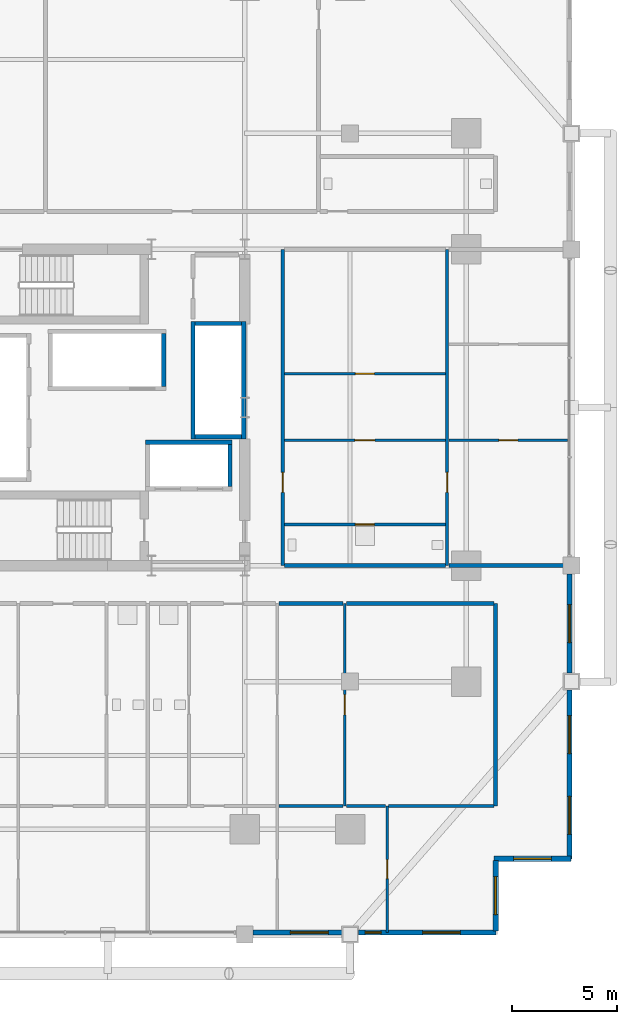
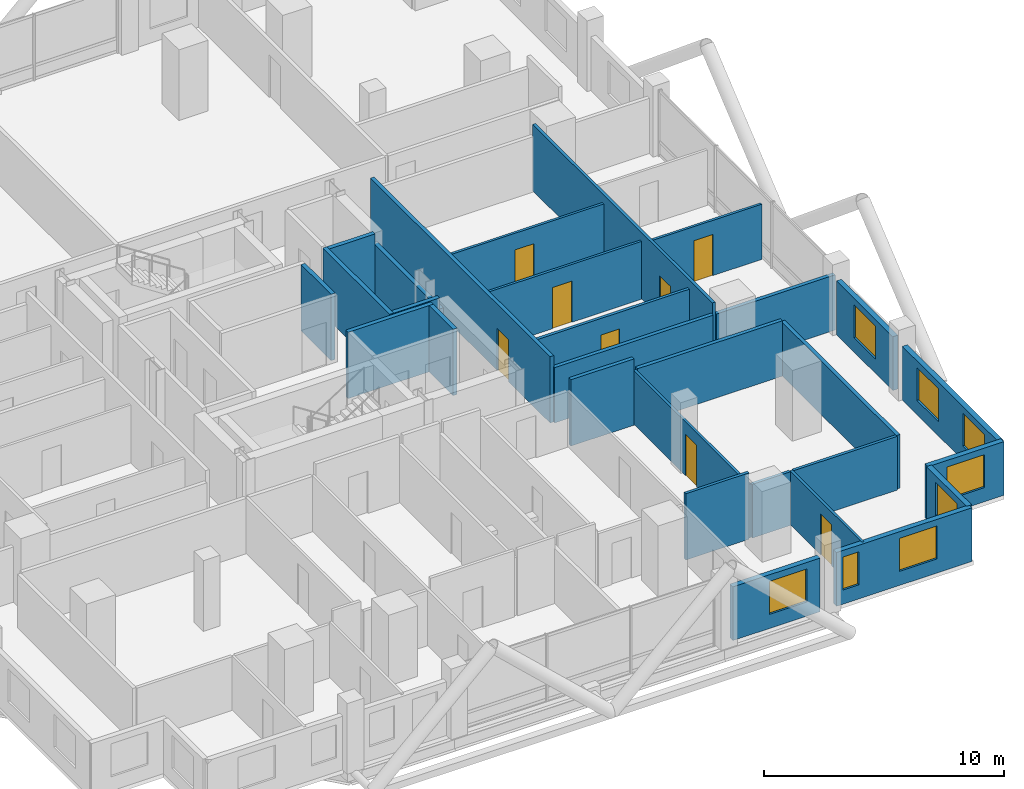
# One storey, part 23 of 27: 29 walls, 8 doors, 8 windows, 16 openings.
"""IFC4 building model written with IfcOpenShell, lengths in metres."""

import ifcopenshell
import ifcopenshell.guid

model = None  # the IFC model being written
_history = None  # IfcOwnerHistory: only IFC2X3 demands one
_inside = {}  # id of a spatial element -> (the spatial element, [elements in it])
_under = {}  # id of a project, library or spatial element -> (it, [spatial elements below it])
_declared = {}  # id of a project -> (the project, [libraries it declares])
_typed = {}  # id of a type object -> (the type object, [elements of that type])
_made_of = {}  # id of a material, layer set ... -> (it, [elements and type objects made of it])


def new_model(schema):
    """Start an empty IFC model of exactly this schema.

    Asked for "IFC4X3", IfcOpenShell would pick the latest addendum, in which some entities
    have other attributes; the version numbers below select the first issue.
    IFC2X3 requires an IfcOwnerHistory on every rooted entity: one is made here for all.
    """
    global model, _history
    if schema == "IFC4X3":
        model = ifcopenshell.file(schema_version=(4, 3, 0, 0))
    else:
        model = ifcopenshell.file(schema=schema)
    _inside.clear()
    _under.clear()
    _declared.clear()
    _typed.clear()
    _made_of.clear()
    _history = None
    if model.schema == "IFC2X3":
        org = make("IfcOrganization", Name="unknown")
        user = make(
            "IfcPersonAndOrganization",
            ThePerson=make("IfcPerson", FamilyName="unknown"),
            TheOrganization=org,
        )
        app = make(
            "IfcApplication",
            ApplicationDeveloper=org,
            Version="unknown",
            ApplicationFullName="unknown",
            ApplicationIdentifier="unknown",
        )
        _history = make(
            "IfcOwnerHistory",
            OwningUser=user,
            OwningApplication=app,
            ChangeAction="ADDED",
            CreationDate=0,
        )
    return model


def make(cls, **values):
    """One entity of the class cls with the attributes given. An attribute that is None is left unset."""
    return model.create_entity(
        cls, **{name: value for name, value in values.items() if value is not None}
    )


def rooted(cls, **values):
    """An entity with a GlobalId (a new one), such as an element, a storey or a relation."""
    return make(cls, GlobalId=ifcopenshell.guid.new(), OwnerHistory=_history, **values)


def si_unit(unit_type, name, prefix=None):
    """IfcSIUnit, for example si_unit("LENGTHUNIT", "METRE", prefix="MILLI")."""
    return make("IfcSIUnit", UnitType=unit_type, Prefix=prefix, Name=name)


def assignment(units):
    """IfcUnitAssignment: the units of a project."""
    return None if units is None else make("IfcUnitAssignment", Units=units)


def point(xyz):
    """IfcCartesianPoint."""
    return None if xyz is None else make("IfcCartesianPoint", Coordinates=xyz)


def direction(xyz):
    """IfcDirection."""
    return None if xyz is None else make("IfcDirection", DirectionRatios=xyz)


def frame(location, z_axis=None, x_axis=None):
    """IfcAxis2Placement3D, a coordinate frame: its origin and axes. An axis left out is left unset."""
    return make(
        "IfcAxis2Placement3D",
        Location=point(location),
        Axis=direction(z_axis),
        RefDirection=direction(x_axis),
    )


def frame_2d(location, x_axis=None):
    """IfcAxis2Placement2D, a coordinate frame in the plane: its origin and x axis."""
    return make(
        "IfcAxis2Placement2D", Location=point(location), RefDirection=direction(x_axis)
    )


def origin():
    """The frame at (0, 0, 0) with its axes left unset."""
    return frame((0.0, 0.0, 0.0))


def place(relative_to, where):
    """IfcLocalPlacement: puts the frame where relative to a parent placement (None: the world)."""
    return make(
        "IfcLocalPlacement", PlacementRelTo=relative_to, RelativePlacement=where
    )


def context(
    kind, dimensions, precision=None, world=None, true_north=None, identifier=None
):
    """IfcGeometricRepresentationContext, for example the 3D "Model" context."""
    return make(
        "IfcGeometricRepresentationContext",
        ContextIdentifier=identifier,
        ContextType=kind,
        CoordinateSpaceDimension=dimensions,
        Precision=precision,
        WorldCoordinateSystem=world,
        TrueNorth=true_north,
    )


def subcontext(parent, identifier, kind, view, scale=None):
    """IfcGeometricRepresentationSubContext, for example "Body" below "Model"."""
    return make(
        "IfcGeometricRepresentationSubContext",
        ContextIdentifier=identifier,
        ContextType=kind,
        ParentContext=parent,
        TargetScale=scale,
        TargetView=view,
    )


def project(units=None, contexts=None):
    """IfcProject with its units and contexts."""
    return rooted(
        "IfcProject",
        Name="project",
        RepresentationContexts=contexts,
        UnitsInContext=assignment(units),
    )


def spatial(cls, under=None, at=None, **own):
    """A site, building, storey or space (cls), placed at a placement, below another one or the project."""
    s = rooted(cls, ObjectPlacement=at, **own)
    if under is not None:
        _under.setdefault(under.id(), (under, []))[1].append(s)
    return s


def profile(cls, at=None, kind="AREA", **sizes):
    """A parametric profile (cls). Its sizes go by their IFC names, for example OverallWidth=200.0."""
    return make(cls, ProfileType=kind, Position=at, **sizes)


def rectangle(**sizes):
    """IfcRectangleProfileDef."""
    return profile("IfcRectangleProfileDef", **sizes)


def extrude(swept, where, along, depth):
    """IfcExtrudedAreaSolid: the profile swept, set in the frame where, extruded along a direction by depth."""
    return make(
        "IfcExtrudedAreaSolid",
        SweptArea=swept,
        Position=where,
        ExtrudedDirection=direction(along),
        Depth=depth,
    )


def shape(context_of_items, identifier, shape_type, items):
    """IfcShapeRepresentation: the items that make up one representation, for example the "Body"."""
    return make(
        "IfcShapeRepresentation",
        ContextOfItems=context_of_items,
        RepresentationIdentifier=identifier,
        RepresentationType=shape_type,
        Items=items,
    )


def material(Name=None, Category=None):
    """IfcMaterial."""
    return make("IfcMaterial", Name=Name, Category=Category)


def layer(
    of_material, thickness, ventilated=None, Name=None, Category=None, Priority=None
):
    """IfcMaterialLayer: one layer of a wall or slab, of a material (None: an air gap)."""
    return make(
        "IfcMaterialLayer",
        Material=of_material,
        LayerThickness=thickness,
        IsVentilated=ventilated,
        Name=Name,
        Category=Category,
        Priority=Priority,
    )


def layer_set(layers, Name=None):
    """IfcMaterialLayerSet."""
    return make("IfcMaterialLayerSet", MaterialLayers=layers, LayerSetName=Name)


def made_of(thing, what):
    """Note that an element or type object is made of a material, layer set ...; save() writes the relation."""
    if what is not None:
        _made_of.setdefault(what.id(), (what, []))[1].append(thing)
    return thing


def type_object(cls, material=None, **own):
    """A type object (cls), such as IfcWallType, which elements share."""
    return made_of(rooted(cls, **own), material)


def element(
    cls,
    number,
    at=None,
    inside=None,
    cuts=None,
    type_object=None,
    material=None,
    context=None,
    identifier="Body",
    shape_type=None,
    held_by="IfcProductDefinitionShape",
    body=None,
    shapes=None,
    **own,
):
    """One element of the class cls, such as IfcWall. Its Tag is "e" and its number.

    at: its placement. inside: the storey or other place that contains it. cuts: it is an
    opening in that element (IfcRelVoidsElement). A single representation is given by context,
    identifier, shape_type and body (its items); several are given by shapes. held_by: the class
    of the entity that holds the representations. save() writes the other relations.
    """
    e = rooted(cls, Tag="e%d" % number, ObjectPlacement=at, **own)
    if body is not None:
        shapes = [shape(context, identifier, shape_type, body)]
    if shapes is not None:
        e.Representation = make(held_by, Representations=shapes)
    if inside is not None:
        _inside.setdefault(inside.id(), (inside, []))[1].append(e)
    if cuts is not None:
        rooted(
            "IfcRelVoidsElement", RelatingBuildingElement=cuts, RelatedOpeningElement=e
        )
    if type_object is not None:
        _typed.setdefault(type_object.id(), (type_object, []))[1].append(e)
    return made_of(e, material)


def fill(opening, filler):
    """IfcRelFillsElement: the door or window that sits in an opening."""
    return rooted(
        "IfcRelFillsElement",
        RelatingOpeningElement=opening,
        RelatedBuildingElement=filler,
    )


def aggregate(whole, parts):
    """IfcRelAggregates: a whole, such as a stair, and the parts it consists of."""
    return rooted("IfcRelAggregates", RelatingObject=whole, RelatedObjects=parts)


def save(model, path):
    """Write the relations noted so far, then the file.

    IfcRelAggregates (storeys below a building ...), IfcRelContainedInSpatialStructure (elements
    in a storey), IfcRelDefinesByType, IfcRelAssociatesMaterial and IfcRelDeclares: one each for
    every whole, place, type object, material and project.
    """
    for whole, parts in _under.values():
        aggregate(whole, parts)
    for where, things in _inside.values():
        rooted(
            "IfcRelContainedInSpatialStructure",
            RelatedElements=things,
            RelatingStructure=where,
        )
    for kind, things in _typed.values():
        rooted("IfcRelDefinesByType", RelatedObjects=things, RelatingType=kind)
    for what, things in _made_of.values():
        rooted("IfcRelAssociatesMaterial", RelatedObjects=things, RelatingMaterial=what)
    for by, libraries in _declared.values():
        rooted("IfcRelDeclares", RelatingContext=by, RelatedDefinitions=libraries)
    model.write(path)


model = new_model("IFC4")

# Units and contexts
model_context = context("Model", 3, precision=1e-05, world=origin(), true_north=direction((0.0, 1.0)))
body_context = subcontext(model_context, "Body", "Model", "MODEL_VIEW")
ifc_project = project(units=[si_unit("LENGTHUNIT", "METRE"), si_unit("AREAUNIT", "SQUARE_METRE"), si_unit("VOLUMEUNIT", "CUBIC_METRE"), si_unit("PLANEANGLEUNIT", "RADIAN"), si_unit("MASSUNIT", "GRAM", prefix="KILO")], contexts=[model_context])

# Site, building, storey
site_placement = place(None, origin())
site = spatial("IfcSite", under=ifc_project, at=site_placement, CompositionType="ELEMENT")
building_placement = place(site_placement, origin())
building = spatial("IfcBuilding", under=site, at=building_placement, Name="Barlavira Tower and Art Museum", CompositionType="ELEMENT")
storey_placement = place(building_placement, frame((0.0, 0.0, 50.39990234375)))
storey = spatial("IfcBuildingStorey", under=building, at=storey_placement, Name="L11", CompositionType="ELEMENT", Elevation=50.39990234375)

# Wall, opening, door
ifc_material_1 = material(Name="Gypsum acoustic stud partition", Category="gypsum")
ifc_layer_1 = layer(ifc_material_1, 0.1201171875, Name="Gypsum acoustic stud partition")
ifc_layer_set_1 = layer_set([ifc_layer_1], Name="Gypsum acoustic stud partition")
wall_type_1 = type_object("IfcWallType", Name="Apartment Internal Acoustic Partition 120", PredefinedType="PARTITIONING", material=ifc_layer_set_1)
wall_1_placement = place(storey_placement, frame((11.25, -18.89990234375, 0.0), z_axis=(0.0, 0.0, 1.0), x_axis=(0.0, 1.0, 0.0)))
wall_1 = element("IfcWall", 1, at=wall_1_placement, inside=storey, type_object=wall_type_1, Name="L11 Partition Wall 16", PredefinedType="PARTITIONING", context=body_context, shape_type="SweptSolid", body=[
    extrude(rectangle(XDim=9.599853515625, YDim=0.1201171875, at=frame_2d((4.7998046875, 0.0))), origin(), (0.0, 0.0, 1.0), 2.736083984375),
])
opening_1_placement = place(wall_1_placement, frame((4.324951171875, 0.0, 0.0)))
opening_1 = element("IfcOpeningElement", 2, at=opening_1_placement, cuts=wall_1, Name="Opening D-02", PredefinedType="OPENING", context=body_context, shape_type="SweptSolid", body=[
    extrude(rectangle(XDim=0.949951171875, YDim=2.10009765625, at=frame_2d((0.47509765625, 1.050048828125))), frame((0.0, 0.070068359375, 0.0), z_axis=(0.0, -1.0, 0.0), x_axis=(1.0, 0.0, 0.0)), (0.0, 0.0, 1.0), 0.14013671875),
])
ifc_material_2 = material(Name="Engineered coastal hardwood", Category="wood")
door_type_1 = type_object("IfcDoorType", Name="Living and Salon Glazed-Leaf Door 950x2100", OperationType="NOTDEFINED", PredefinedType="DOOR", material=ifc_material_2)
door_1_placement = place(opening_1_placement, origin())
door_1 = element("IfcDoor", 3, at=door_1_placement, inside=storey, type_object=door_type_1, Name="Apartment S2 Dining Salon Door", OperationType="SINGLE_SWING_LEFT", OverallHeight=2.10009765625, OverallWidth=0.949951171875, PredefinedType="DOOR", context=body_context, shape_type="SweptSolid", body=[
    extrude(rectangle(XDim=0.949951171875, YDim=2.10009765625, at=frame_2d((0.47509765625, 1.050048828125))), frame((0.0, 0.02490234375, 0.0), z_axis=(0.0, -1.0, 0.0), x_axis=(1.0, 0.0, 0.0)), (0.0, 0.0, 1.0), 0.050048828125),
])
fill(opening_1, door_1)

wall_2_placement = place(storey_placement, frame((13.25, -24.89990234375, 0.0), z_axis=(0.0, 0.0, 1.0), x_axis=(0.0, 1.0, 0.0)))
wall_2 = element("IfcWall", 4, at=wall_2_placement, inside=storey, type_object=wall_type_1, Name="L11 Partition Wall 17", PredefinedType="PARTITIONING", context=body_context, shape_type="SweptSolid", body=[
    extrude(rectangle(XDim=6.0, YDim=0.1201171875, at=frame_2d((3.0, 0.0))), origin(), (0.0, 0.0, 1.0), 2.736083984375),
])
opening_2_placement = place(wall_2_placement, frame((2.550048828125, 0.0, 0.0)))
opening_2 = element("IfcOpeningElement", 5, at=opening_2_placement, cuts=wall_2, Name="Opening D-01", PredefinedType="OPENING", context=body_context, shape_type="SweptSolid", body=[
    extrude(rectangle(XDim=0.89990234375, YDim=2.10009765625, at=frame_2d((0.449951171875, 1.050048828125))), frame((0.0, 0.070068359375, 0.0), z_axis=(0.0, -1.0, 0.0), x_axis=(1.0, 0.0, 0.0)), (0.0, 0.0, 1.0), 0.14013671875),
])
door_type_2 = type_object("IfcDoorType", Name="Internal Bedroom Timber Flush Door 900x2100", OperationType="NOTDEFINED", PredefinedType="DOOR", material=ifc_material_2)
door_2_placement = place(opening_2_placement, origin())
door_2 = element("IfcDoor", 6, at=door_2_placement, inside=storey, type_object=door_type_2, Name="Apartment S2 Bedroom 2 Door", OperationType="SINGLE_SWING_RIGHT", OverallHeight=2.10009765625, OverallWidth=0.89990234375, PredefinedType="DOOR", context=body_context, shape_type="SweptSolid", body=[
    extrude(rectangle(XDim=0.89990234375, YDim=2.10009765625, at=frame_2d((0.449951171875, 1.050048828125))), frame((0.0, 0.02490234375, 0.0), z_axis=(0.0, -1.0, 0.0), x_axis=(1.0, 0.0, 0.0)), (0.0, 0.0, 1.0), 0.050048828125),
])
fill(opening_2, door_2)

wall_3_placement = place(storey_placement, frame((8.3798828125, -1.550048828125, 0.0), z_axis=(0.0, 0.0, 1.0), x_axis=(1.0, 0.0, 0.0)))
wall_3 = element("IfcWall", 7, at=wall_3_placement, inside=storey, type_object=wall_type_1, Name="L11 Partition Wall 47", PredefinedType="PARTITIONING", context=body_context, shape_type="SweptSolid", body=[
    extrude(rectangle(XDim=7.64013671875, YDim=0.1201171875, at=frame_2d((3.820068359375, 0.0))), origin(), (0.0, 0.0, 1.0), 2.947998046875),
])
opening_3_placement = place(wall_3_placement, frame((3.344970703125, 0.0, 0.0)))
opening_3 = element("IfcOpeningElement", 8, at=opening_3_placement, cuts=wall_3, Name="Opening D-02", PredefinedType="OPENING", context=body_context, shape_type="SweptSolid", body=[
    extrude(rectangle(XDim=0.949951171875, YDim=2.10009765625, at=frame_2d((0.47509765625, 1.050048828125))), frame((0.0, 0.070068359375, 0.0), z_axis=(0.0, -1.0, 0.0), x_axis=(1.0, 0.0, 0.0)), (0.0, 0.0, 1.0), 0.14013671875),
])
door_3_placement = place(opening_3_placement, origin())
door_3 = element("IfcDoor", 9, at=door_3_placement, inside=storey, type_object=door_type_1, Name="Apartment E1 Kitchen Door", OperationType="SINGLE_SWING_LEFT", OverallHeight=2.10009765625, OverallWidth=0.949951171875, PredefinedType="DOOR", context=body_context, shape_type="SweptSolid", body=[
    extrude(rectangle(XDim=0.949951171875, YDim=2.10009765625, at=frame_2d((0.47509765625, 1.050048828125))), frame((0.0, 0.02490234375, 0.0), z_axis=(0.0, -1.0, 0.0), x_axis=(1.0, 0.0, 0.0)), (0.0, 0.0, 1.0), 0.050048828125),
])
fill(opening_3, door_3)

wall_4_placement = place(storey_placement, frame((16.179931640625, -1.550048828125, 0.0), z_axis=(0.0, 0.0, 1.0), x_axis=(1.0, 0.0, 0.0)))
wall_4 = element("IfcWall", 10, at=wall_4_placement, inside=storey, type_object=wall_type_1, Name="L11 Partition Wall 48", PredefinedType="PARTITIONING", context=body_context, shape_type="SweptSolid", body=[
    extrude(rectangle(XDim=5.64013671875, YDim=0.1201171875, at=frame_2d((2.820068359375, 0.0))), origin(), (0.0, 0.0, 1.0), 2.816162109375),
])
opening_4_placement = place(wall_4_placement, frame((2.3701171875, 0.0, 0.0)))
opening_4 = element("IfcOpeningElement", 11, at=opening_4_placement, cuts=wall_4, Name="Opening D-01", PredefinedType="OPENING", context=body_context, shape_type="SweptSolid", body=[
    extrude(rectangle(XDim=0.89990234375, YDim=2.10009765625, at=frame_2d((0.449951171875, 1.050048828125))), frame((0.0, 0.070068359375, 0.0), z_axis=(0.0, -1.0, 0.0), x_axis=(1.0, 0.0, 0.0)), (0.0, 0.0, 1.0), 0.14013671875),
])
door_4_placement = place(opening_4_placement, origin())
door_4 = element("IfcDoor", 12, at=door_4_placement, inside=storey, type_object=door_type_2, Name="Apartment E1 Bedroom 1 Door", OperationType="SINGLE_SWING_RIGHT", OverallHeight=2.10009765625, OverallWidth=0.89990234375, PredefinedType="DOOR", context=body_context, shape_type="SweptSolid", body=[
    extrude(rectangle(XDim=0.89990234375, YDim=2.10009765625, at=frame_2d((0.449951171875, 1.050048828125))), frame((0.0, 0.02490234375, 0.0), z_axis=(0.0, -1.0, 0.0), x_axis=(1.0, 0.0, 0.0)), (0.0, 0.0, 1.0), 0.050048828125),
])
fill(opening_4, door_4)

wall_5_placement = place(storey_placement, frame((8.3798828125, 1.60009765625, 0.0), z_axis=(0.0, 0.0, 1.0), x_axis=(1.0, 0.0, 0.0)))
wall_5 = element("IfcWall", 13, at=wall_5_placement, inside=storey, type_object=wall_type_1, Name="L11 Partition Wall 52", PredefinedType="PARTITIONING", context=body_context, shape_type="SweptSolid", body=[
    extrude(rectangle(XDim=7.64013671875, YDim=0.1201171875, at=frame_2d((3.820068359375, 0.0))), origin(), (0.0, 0.0, 1.0), 2.947998046875),
])
opening_5_placement = place(wall_5_placement, frame((3.3701171875, 0.0, 0.0)))
opening_5 = element("IfcOpeningElement", 14, at=opening_5_placement, cuts=wall_5, Name="Opening D-01", PredefinedType="OPENING", context=body_context, shape_type="SweptSolid", body=[
    extrude(rectangle(XDim=0.89990234375, YDim=2.10009765625, at=frame_2d((0.449951171875, 1.050048828125))), frame((0.0, 0.070068359375, 0.0), z_axis=(0.0, -1.0, 0.0), x_axis=(1.0, 0.0, 0.0)), (0.0, 0.0, 1.0), 0.14013671875),
])
door_5_placement = place(opening_5_placement, origin())
door_5 = element("IfcDoor", 15, at=door_5_placement, inside=storey, type_object=door_type_2, Name="Apartment E1 Walk-In Dressing Room Door", OperationType="SINGLE_SWING_RIGHT", OverallHeight=2.10009765625, OverallWidth=0.89990234375, PredefinedType="DOOR", context=body_context, shape_type="SweptSolid", body=[
    extrude(rectangle(XDim=0.89990234375, YDim=2.10009765625, at=frame_2d((0.449951171875, 1.050048828125))), frame((0.0, 0.02490234375, 0.0), z_axis=(0.0, -1.0, 0.0), x_axis=(1.0, 0.0, 0.0)), (0.0, 0.0, 1.0), 0.050048828125),
])
fill(opening_5, door_5)

# Walls
ifc_material_3 = material(Name="Autoclaved aerated concrete masonry", Category="masonry")
ifc_layer_2 = layer(ifc_material_3, 0.199951171875, Name="Autoclaved aerated concrete masonry")
ifc_layer_set_2 = layer_set([ifc_layer_2], Name="Autoclaved aerated concrete masonry")
wall_type_2 = type_object("IfcWallType", Name="Fire Compartment and Shaft Wall 200", PredefinedType="SOLIDWALL", material=ifc_layer_set_2)
wall_6_placement = place(storey_placement, frame((4.050048828125, -1.489990234375, 0.0), z_axis=(0.0, 0.0, 1.0), x_axis=(0.0, 1.0, 0.0)))
element("IfcWall", 16, at=wall_6_placement, inside=storey, type_object=wall_type_2, Name="L11 Mid-Rise Lift Front Shaft Wall", PredefinedType="SOLIDWALL", context=body_context, shape_type="SweptSolid", body=[
    extrude(rectangle(XDim=5.580078125, YDim=0.199951171875, at=frame_2d((2.7900390625, 0.0))), origin(), (0.0, 0.0, 1.0), 3.380126953125),
])
wall_7_placement = place(storey_placement, frame((6.449951171875, -1.489990234375, 0.0), z_axis=(0.0, 0.0, 1.0), x_axis=(0.0, 1.0, 0.0)))
element("IfcWall", 17, at=wall_7_placement, inside=storey, type_object=wall_type_2, Name="L11 Mid-Rise Lift Back Shaft Wall", PredefinedType="SOLIDWALL", context=body_context, shape_type="SweptSolid", body=[
    extrude(rectangle(XDim=5.580078125, YDim=0.199951171875, at=frame_2d((2.7900390625, 0.0))), origin(), (0.0, 0.0, 1.0), 2.816162109375),
])
for number, where, z_axis, x_axis, name in (
    (18, (4.14990234375, -1.389892578125, 0.0), (0.0, 0.0, 1.0), (1.0, 0.0, 0.0), "L11 Mid-Rise Lift South Shaft Wall"),
    (19, (4.14990234375, 3.989990234375, 0.0), (0.0, 0.0, 1.0), (1.0, 0.0, 0.0), "L11 Mid-Rise Lift North Shaft Wall"),
):
    element("IfcWall", number, at=place(storey_placement, frame(where, z_axis=z_axis, x_axis=x_axis)), inside=storey, type_object=wall_type_2, Name=name, PredefinedType="SOLIDWALL", context=body_context, shape_type="SweptSolid", body=[
        extrude(rectangle(XDim=2.2001953125, YDim=0.199951171875, at=frame_2d((1.10009765625, 0.0))), origin(), (0.0, 0.0, 1.0), 3.380126953125),
    ])
wall_8_placement = place(storey_placement, frame((2.659912109375, 1.0, 0.0), z_axis=(0.0, 0.0, 1.0), x_axis=(0.0, 1.0, 0.0)))
element("IfcWall", 20, at=wall_8_placement, inside=storey, type_object=wall_type_2, Name="L11 High-Rise & Service Lift East Wall", PredefinedType="SOLIDWALL", context=body_context, shape_type="SweptSolid", body=[
    extrude(rectangle(XDim=2.5, YDim=0.199951171875, at=frame_2d((1.25, 0.0))), origin(), (0.0, 0.0, 1.0), 3.380126953125),
])
wall_9_placement = place(storey_placement, frame((1.800048828125, -1.64990234375, 0.0), z_axis=(0.0, 0.0, 1.0), x_axis=(1.0, 0.0, 0.0)))
element("IfcWall", 21, at=wall_9_placement, inside=storey, type_object=wall_type_2, Name="L11 Firefighting Lift Back Shaft Wall", PredefinedType="SOLIDWALL", context=body_context, shape_type="SweptSolid", body=[
    extrude(rectangle(XDim=4.099853515625, YDim=0.199951171875, at=frame_2d((2.0498046875, 0.0))), origin(), (0.0, 0.0, 1.0), 3.380126953125),
])
wall_10_placement = place(storey_placement, frame((5.800048828125, -3.75, 0.0), z_axis=(0.0, 0.0, 1.0), x_axis=(0.0, 1.0, 0.0)))
element("IfcWall", 22, at=wall_10_placement, inside=storey, type_object=wall_type_2, Name="L11 Firefighting Lift East Shaft Wall", PredefinedType="SOLIDWALL", context=body_context, shape_type="SweptSolid", body=[
    extrude(rectangle(XDim=2.0, YDim=0.199951171875, at=frame_2d((1.0, 0.0))), origin(), (0.0, 0.0, 1.0), 3.380126953125),
])

# Wall, opening, door
ifc_layer_3 = layer(ifc_material_1, 0.179931640625, Name="Gypsum acoustic stud partition")
ifc_layer_set_3 = layer_set([ifc_layer_3], Name="Gypsum acoustic stud partition")
wall_type_3 = type_object("IfcWallType", Name="Inter-Tenancy Party Partition Wall 180", PredefinedType="PARTITIONING", material=ifc_layer_set_3)
wall_11_placement = place(storey_placement, frame((8.300048828125, -7.5, 0.0), z_axis=(0.0, 0.0, 1.0), x_axis=(0.0, 1.0, 0.0)))
wall_11 = element("IfcWall", 23, at=wall_11_placement, inside=storey, type_object=wall_type_3, Name="L11 Partition Wall 14", PredefinedType="PARTITIONING", context=body_context, shape_type="SweptSolid", body=[
    extrude(rectangle(XDim=15.0, YDim=0.179931640625, at=frame_2d((7.5, 0.0))), origin(), (0.0, 0.0, 1.0), 3.380126953125),
])
opening_6_placement = place(wall_11_placement, frame((3.47509765625, 0.0, 0.0)))
opening_6 = element("IfcOpeningElement", 24, at=opening_6_placement, cuts=wall_11, Name="Opening FD-60", PredefinedType="OPENING", context=body_context, shape_type="SweptSolid", body=[
    extrude(rectangle(XDim=0.949951171875, YDim=2.14990234375, at=frame_2d((0.47509765625, 1.074951171875))), frame((0.0, 0.10009765625, 0.0), z_axis=(0.0, -1.0, 0.0), x_axis=(1.0, 0.0, 0.0)), (0.0, 0.0, 1.0), 0.199951171875),
])
ifc_material_4 = material(Name="Brushed stainless steel", Category="steel")
door_type_3 = type_object("IfcDoorType", Name="Apartment Entrance and Riser Fire Door 950x2150 FD60S", OperationType="NOTDEFINED", PredefinedType="DOOR", material=ifc_material_4)
door_6_placement = place(opening_6_placement, origin())
door_6 = element("IfcDoor", 25, at=door_6_placement, inside=storey, type_object=door_type_3, Name="Apartment Entrance Hall E1 Door", OperationType="SINGLE_SWING_RIGHT", OverallHeight=2.14990234375, OverallWidth=0.949951171875, PredefinedType="DOOR", context=body_context, shape_type="SweptSolid", body=[
    extrude(rectangle(XDim=0.949951171875, YDim=2.14990234375, at=frame_2d((0.47509765625, 1.074951171875))), frame((0.0, 0.02490234375, 0.0), z_axis=(0.0, -1.0, 0.0), x_axis=(1.0, 0.0, 0.0)), (0.0, 0.0, 1.0), 0.050048828125),
])
fill(opening_6, door_6)

# Walls
wall_12_placement = place(storey_placement, frame((18.39990234375, -18.89990234375, 0.0), z_axis=(0.0, 0.0, 1.0), x_axis=(0.0, 1.0, 0.0)))
element("IfcWall", 26, at=wall_12_placement, inside=storey, type_object=wall_type_3, Name="L11 Partition Wall 19", PredefinedType="PARTITIONING", context=body_context, shape_type="SweptSolid", body=[
    extrude(rectangle(XDim=9.599853515625, YDim=0.179931640625, at=frame_2d((4.7998046875, 0.0))), origin(), (0.0, 0.0, 1.0), 2.736083984375),
])
wall_13_placement = place(storey_placement, frame((8.1298828125, -9.300048828125, 0.0), z_axis=(0.0, 0.0, 1.0), x_axis=(1.0, 0.0, 0.0)))
element("IfcWall", 27, at=wall_13_placement, inside=storey, type_object=wall_type_3, Name="L11 Partition Wall 38", PredefinedType="PARTITIONING", context=body_context, shape_type="SweptSolid", body=[
    extrude(rectangle(XDim=3.0400390625, YDim=0.179931640625, at=frame_2d((1.52001953125, 0.0))), origin(), (0.0, 0.0, 1.0), 3.380126953125),
])
wall_14_placement = place(storey_placement, frame((11.330078125, -9.300048828125, 0.0), z_axis=(0.0, 0.0, 1.0), x_axis=(1.0, 0.0, 0.0)))
element("IfcWall", 28, at=wall_14_placement, inside=storey, type_object=wall_type_3, Name="L11 Partition Wall 39", PredefinedType="PARTITIONING", context=body_context, shape_type="SweptSolid", body=[
    extrude(rectangle(XDim=6.989990234375, YDim=0.179931640625, at=frame_2d((3.4951171875, 0.0))), origin(), (0.0, 0.0, 1.0), 2.816162109375),
])
wall_15_placement = place(storey_placement, frame((8.3798828125, -7.5, 0.0), z_axis=(0.0, 0.0, 1.0), x_axis=(1.0, 0.0, 0.0)))
element("IfcWall", 29, at=wall_15_placement, inside=storey, type_object=wall_type_3, Name="L11 Partition Wall 42", PredefinedType="PARTITIONING", context=body_context, shape_type="SweptSolid", body=[
    extrude(rectangle(XDim=7.64013671875, YDim=0.179931640625, at=frame_2d((3.820068359375, 0.0))), origin(), (0.0, 0.0, 1.0), 2.816162109375),
])
wall_16_placement = place(storey_placement, frame((16.179931640625, -7.5, 0.0), z_axis=(0.0, 0.0, 1.0), x_axis=(1.0, 0.0, 0.0)))
element("IfcWall", 30, at=wall_16_placement, inside=storey, type_object=wall_type_3, Name="L11 Partition Wall 43", PredefinedType="PARTITIONING", context=body_context, shape_type="SweptSolid", body=[
    extrude(rectangle(XDim=5.719970703125, YDim=0.179931640625, at=frame_2d((2.85986328125, 0.0))), origin(), (0.0, 0.0, 1.0), 2.816162109375),
])

# Wall, opening, door
ifc_layer_4 = layer(ifc_material_1, 0.139892578125, Name="Gypsum acoustic stud partition")
ifc_layer_set_4 = layer_set([ifc_layer_4], Name="Gypsum acoustic stud partition")
wall_type_4 = type_object("IfcWallType", Name="Moisture-Resistant Bathroom Partition 140", PredefinedType="PARTITIONING", material=ifc_layer_set_4)
wall_17_placement = place(storey_placement, frame((16.10009765625, -7.5, 0.0), z_axis=(0.0, 0.0, 1.0), x_axis=(0.0, 1.0, 0.0)))
wall_17 = element("IfcWall", 31, at=wall_17_placement, inside=storey, type_object=wall_type_4, Name="L11 Partition Wall 18", PredefinedType="PARTITIONING", context=body_context, shape_type="SweptSolid", body=[
    extrude(rectangle(XDim=15.0, YDim=0.139892578125, at=frame_2d((7.5, 0.0))), origin(), (0.0, 0.0, 1.0), 3.380126953125),
])
opening_7_placement = place(wall_17_placement, frame((3.47509765625, 0.0, 0.0)))
opening_7 = element("IfcOpeningElement", 32, at=opening_7_placement, cuts=wall_17, Name="Opening D-02", PredefinedType="OPENING", context=body_context, shape_type="SweptSolid", body=[
    extrude(rectangle(XDim=0.949951171875, YDim=2.10009765625, at=frame_2d((0.47509765625, 1.050048828125))), frame((0.0, 0.080078125, 0.0), z_axis=(0.0, -1.0, 0.0), x_axis=(1.0, 0.0, 0.0)), (0.0, 0.0, 1.0), 0.159912109375),
])
door_7_placement = place(opening_7_placement, origin())
door_7 = element("IfcDoor", 33, at=door_7_placement, inside=storey, type_object=door_type_1, Name="Apartment E1 Living Lounge Door", OperationType="SINGLE_SWING_LEFT", OverallHeight=2.10009765625, OverallWidth=0.949951171875, PredefinedType="DOOR", context=body_context, shape_type="SweptSolid", body=[
    extrude(rectangle(XDim=0.949951171875, YDim=2.10009765625, at=frame_2d((0.47509765625, 1.050048828125))), frame((0.0, 0.02490234375, 0.0), z_axis=(0.0, -1.0, 0.0), x_axis=(1.0, 0.0, 0.0)), (0.0, 0.0, 1.0), 0.050048828125),
])
fill(opening_7, door_7)

# Walls
wall_18_placement = place(storey_placement, frame((8.1298828125, -18.89990234375, 0.0), z_axis=(0.0, 0.0, 1.0), x_axis=(1.0, 0.0, 0.0)))
element("IfcWall", 34, at=wall_18_placement, inside=storey, type_object=wall_type_4, Name="L11 Partition Wall 29", PredefinedType="PARTITIONING", context=body_context, shape_type="SweptSolid", body=[
    extrude(rectangle(XDim=3.0400390625, YDim=0.139892578125, at=frame_2d((1.52001953125, 0.0))), origin(), (0.0, 0.0, 1.0), 3.380126953125),
])
wall_19_placement = place(storey_placement, frame((11.330078125, -18.89990234375, 0.0), z_axis=(0.0, 0.0, 1.0), x_axis=(1.0, 0.0, 0.0)))
element("IfcWall", 35, at=wall_19_placement, inside=storey, type_object=wall_type_4, Name="L11 Partition Wall 30", PredefinedType="PARTITIONING", context=body_context, shape_type="SweptSolid", body=[
    extrude(rectangle(XDim=1.83984375, YDim=0.139892578125, at=frame_2d((0.919921875, 0.0))), origin(), (0.0, 0.0, 1.0), 2.736083984375),
])
wall_20_placement = place(storey_placement, frame((13.330078125, -18.89990234375, 0.0), z_axis=(0.0, 0.0, 1.0), x_axis=(1.0, 0.0, 0.0)))
element("IfcWall", 36, at=wall_20_placement, inside=storey, type_object=wall_type_4, Name="L11 Partition Wall 31", PredefinedType="PARTITIONING", context=body_context, shape_type="SweptSolid", body=[
    extrude(rectangle(XDim=4.989990234375, YDim=0.139892578125, at=frame_2d((2.4951171875, 0.0))), origin(), (0.0, 0.0, 1.0), 2.736083984375),
])

# Wall, opening, door
wall_21_placement = place(storey_placement, frame((8.3798828125, -5.550048828125, 0.0), z_axis=(0.0, 0.0, 1.0), x_axis=(1.0, 0.0, 0.0)))
wall_21 = element("IfcWall", 37, at=wall_21_placement, inside=storey, type_object=wall_type_4, Name="L11 Partition Wall 45", PredefinedType="PARTITIONING", context=body_context, shape_type="SweptSolid", body=[
    extrude(rectangle(XDim=7.64013671875, YDim=0.139892578125, at=frame_2d((3.820068359375, 0.0))), origin(), (0.0, 0.0, 1.0), 2.947998046875),
])
opening_8_placement = place(wall_21_placement, frame((3.3701171875, 0.0, 0.0)))
opening_8 = element("IfcOpeningElement", 38, at=opening_8_placement, cuts=wall_21, Name="Opening D-WC", PredefinedType="OPENING", context=body_context, shape_type="SweptSolid", body=[
    extrude(rectangle(XDim=0.89990234375, YDim=2.10009765625, at=frame_2d((0.449951171875, 1.050048828125))), frame((0.0, 0.080078125, 0.0), z_axis=(0.0, -1.0, 0.0), x_axis=(1.0, 0.0, 0.0)), (0.0, 0.0, 1.0), 0.159912109375),
])
door_type_4 = type_object("IfcDoorType", Name="Accessible Bathroom Flush Door 900x2100", OperationType="NOTDEFINED", PredefinedType="DOOR", material=ifc_material_2)
door_8_placement = place(opening_8_placement, origin())
door_8 = element("IfcDoor", 39, at=door_8_placement, inside=storey, type_object=door_type_4, Name="Apartment E1 Hall Bathroom Door", OperationType="SINGLE_SWING_LEFT", OverallHeight=2.10009765625, OverallWidth=0.89990234375, PredefinedType="DOOR", context=body_context, shape_type="SweptSolid", body=[
    extrude(rectangle(XDim=0.89990234375, YDim=2.10009765625, at=frame_2d((0.449951171875, 1.050048828125))), frame((0.0, 0.02490234375, 0.0), z_axis=(0.0, -1.0, 0.0), x_axis=(1.0, 0.0, 0.0)), (0.0, 0.0, 1.0), 0.050048828125),
])
fill(opening_8, door_8)

# Wall, opening, window
ifc_material_5 = material(Name="Precast concrete C40", Category="concrete")
ifc_layer_5 = layer(ifc_material_5, 0.25, Name="Precast concrete C40")
ifc_layer_set_5 = layer_set([ifc_layer_5], Name="Precast concrete C40")
wall_type_5 = type_object("IfcWallType", Name="Notched Corner Spandrel Wall 250 Precast Concrete C40", PredefinedType="SOLIDWALL", material=ifc_layer_set_5)
wall_22_placement = place(storey_placement, frame((6.89501953125, -24.89990234375, 0.0), z_axis=(0.0, 0.0, 1.0), x_axis=(1.0, 0.0, 0.0)))
wall_22 = element("IfcWall", 40, at=wall_22_placement, inside=storey, type_object=wall_type_5, Name="L11 Coastal Facade Pier Wall CW1-L11-S-4", PredefinedType="SOLIDWALL", context=body_context, shape_type="SweptSolid", body=[
    extrude(rectangle(XDim=4.2099609375, YDim=0.25, at=frame_2d((2.10498046875, 0.0))), origin(), (0.0, 0.0, 1.0), 2.736083984375),
])
opening_9_placement = place(wall_22_placement, frame((1.77001953125, 0.0, 0.719970703125)))
opening_9 = element("IfcOpeningElement", 41, at=opening_9_placement, cuts=wall_22, Name="Opening WN-01", PredefinedType="OPENING", context=body_context, shape_type="SweptSolid", body=[
    extrude(rectangle(XDim=1.800048828125, YDim=1.679931640625, at=frame_2d((0.89990234375, 0.83984375))), frame((0.0, 0.135009765625, 0.0), z_axis=(0.0, -1.0, 0.0), x_axis=(1.0, 0.0, 0.0)), (0.0, 0.0, 1.0), 0.27001953125),
])
ifc_material_6 = material(Name="Low-iron coastal laminated glass", Category="glass")
window_type_1 = type_object("IfcWindowType", Name="Recessed Notch Corner Punch Window 1800x1680", PartitioningType="SINGLE_PANEL", PredefinedType="WINDOW", material=ifc_material_6)
window_1_placement = place(opening_9_placement, origin())
window_1 = element("IfcWindow", 42, at=window_1_placement, inside=storey, type_object=window_type_1, Name="L11 Punched Facade Window EWP-CW1-L11-S-4-1", OverallHeight=1.679931640625, OverallWidth=1.800048828125, PartitioningType="SINGLE_PANEL", PredefinedType="WINDOW", context=body_context, shape_type="SweptSolid", body=[
    extrude(rectangle(XDim=1.800048828125, YDim=1.679931640625, at=frame_2d((0.89990234375, 0.83984375))), frame((0.0, 0.030029296875, 0.0), z_axis=(0.0, -1.0, 0.0), x_axis=(1.0, 0.0, 0.0)), (0.0, 0.0, 1.0), 0.06005859375),
])
fill(opening_9, window_1)

# Wall, openings, windows
wall_23_placement = place(storey_placement, frame((11.89501953125, -24.89990234375, 0.0), z_axis=(0.0, 0.0, 1.0), x_axis=(1.0, 0.0, 0.0)))
wall_23 = element("IfcWall", 43, at=wall_23_placement, inside=storey, type_object=wall_type_5, Name="L11 Coastal Facade Pier Wall CW1-L11-S-5", PredefinedType="SOLIDWALL", context=body_context, shape_type="SweptSolid", body=[
    extrude(rectangle(XDim=6.530029296875, YDim=0.25, at=frame_2d((3.26513671875, 0.0))), origin(), (0.0, 0.0, 1.0), 2.736083984375),
])
opening_10_placement = place(wall_23_placement, frame((0.31494140625, 0.0, 0.719970703125)))
opening_10 = element("IfcOpeningElement", 44, at=opening_10_placement, cuts=wall_23, Name="Opening WN-06", PredefinedType="OPENING", context=body_context, shape_type="SweptSolid", body=[
    extrude(rectangle(XDim=0.760009765625, YDim=1.679931640625, at=frame_2d((0.3798828125, 0.83984375))), frame((0.0, 0.135009765625, 0.0), z_axis=(0.0, -1.0, 0.0), x_axis=(1.0, 0.0, 0.0)), (0.0, 0.0, 1.0), 0.27001953125),
])
opening_11_placement = place(wall_23_placement, frame((3.0380859375, 0.0, 0.719970703125)))
opening_11 = element("IfcOpeningElement", 45, at=opening_11_placement, cuts=wall_23, Name="Opening WN-01", PredefinedType="OPENING", context=body_context, shape_type="SweptSolid", body=[
    extrude(rectangle(XDim=1.800048828125, YDim=1.679931640625, at=frame_2d((0.89990234375, 0.83984375))), frame((0.0, 0.135009765625, 0.0), z_axis=(0.0, -1.0, 0.0), x_axis=(1.0, 0.0, 0.0)), (0.0, 0.0, 1.0), 0.27001953125),
])
window_type_2 = type_object("IfcWindowType", Name="Recessed Narrow Pier Window 760x1680", PartitioningType="SINGLE_PANEL", PredefinedType="WINDOW", material=ifc_material_6)
window_2_placement = place(opening_10_placement, origin())
window_2 = element("IfcWindow", 46, at=window_2_placement, inside=storey, type_object=window_type_2, Name="L11 Punched Facade Window EWP-CW1-L11-S-5-1", OverallHeight=1.679931640625, OverallWidth=0.760009765625, PartitioningType="SINGLE_PANEL", PredefinedType="WINDOW", context=body_context, shape_type="SweptSolid", body=[
    extrude(rectangle(XDim=0.760009765625, YDim=1.679931640625, at=frame_2d((0.3798828125, 0.83984375))), frame((0.0, 0.030029296875, 0.0), z_axis=(0.0, -1.0, 0.0), x_axis=(1.0, 0.0, 0.0)), (0.0, 0.0, 1.0), 0.06005859375),
])
fill(opening_10, window_2)
window_3_placement = place(opening_11_placement, origin())
window_3 = element("IfcWindow", 47, at=window_3_placement, inside=storey, type_object=window_type_1, Name="L11 Punched Facade Window EWP-CW1-L11-S-5-2", OverallHeight=1.679931640625, OverallWidth=1.800048828125, PartitioningType="SINGLE_PANEL", PredefinedType="WINDOW", context=body_context, shape_type="SweptSolid", body=[
    extrude(rectangle(XDim=1.800048828125, YDim=1.679931640625, at=frame_2d((0.89990234375, 0.83984375))), frame((0.0, 0.030029296875, 0.0), z_axis=(0.0, -1.0, 0.0), x_axis=(1.0, 0.0, 0.0)), (0.0, 0.0, 1.0), 0.06005859375),
])
fill(opening_11, window_3)

wall_24_placement = place(storey_placement, frame((21.89990234375, -21.425048828125, 0.0), z_axis=(0.0, 0.0, 1.0), x_axis=(0.0, 1.0, 0.0)))
wall_24 = element("IfcWall", 48, at=wall_24_placement, inside=storey, type_object=wall_type_5, Name="L11 Coastal Facade Pier Wall CW1-L11-E-1", PredefinedType="SOLIDWALL", context=body_context, shape_type="SweptSolid", body=[
    extrude(rectangle(XDim=8.030029296875, YDim=0.25, at=frame_2d((4.01513671875, 0.0))), origin(), (0.0, 0.0, 1.0), 2.736083984375),
])
opening_12_placement = place(wall_24_placement, frame((1.176025390625, 0.0, 0.719970703125)))
opening_12 = element("IfcOpeningElement", 49, at=opening_12_placement, cuts=wall_24, Name="Opening WN-01", PredefinedType="OPENING", context=body_context, shape_type="SweptSolid", body=[
    extrude(rectangle(XDim=1.800048828125, YDim=1.679931640625, at=frame_2d((0.89990234375, 0.83984375))), frame((0.0, 0.135009765625, 0.0), z_axis=(0.0, -1.0, 0.0), x_axis=(1.0, 0.0, 0.0)), (0.0, 0.0, 1.0), 0.27001953125),
])
opening_13_placement = place(wall_24_placement, frame((5.009033203125, 0.0, 0.719970703125)))
opening_13 = element("IfcOpeningElement", 50, at=opening_13_placement, cuts=wall_24, Name="Opening WN-01", PredefinedType="OPENING", context=body_context, shape_type="SweptSolid", body=[
    extrude(rectangle(XDim=1.800048828125, YDim=1.679931640625, at=frame_2d((0.89990234375, 0.83984375))), frame((0.0, 0.135009765625, 0.0), z_axis=(0.0, -1.0, 0.0), x_axis=(1.0, 0.0, 0.0)), (0.0, 0.0, 1.0), 0.27001953125),
])
window_4_placement = place(opening_12_placement, origin())
window_4 = element("IfcWindow", 51, at=window_4_placement, inside=storey, type_object=window_type_1, Name="L11 Punched Facade Window EWP-CW1-L11-E-1-1", OverallHeight=1.679931640625, OverallWidth=1.800048828125, PartitioningType="SINGLE_PANEL", PredefinedType="WINDOW", context=body_context, shape_type="SweptSolid", body=[
    extrude(rectangle(XDim=1.800048828125, YDim=1.679931640625, at=frame_2d((0.89990234375, 0.83984375))), frame((0.0, 0.030029296875, 0.0), z_axis=(0.0, -1.0, 0.0), x_axis=(1.0, 0.0, 0.0)), (0.0, 0.0, 1.0), 0.06005859375),
])
fill(opening_12, window_4)
window_5_placement = place(opening_13_placement, origin())
window_5 = element("IfcWindow", 52, at=window_5_placement, inside=storey, type_object=window_type_1, Name="L11 Punched Facade Window EWP-CW1-L11-E-1-2", OverallHeight=1.679931640625, OverallWidth=1.800048828125, PartitioningType="SINGLE_PANEL", PredefinedType="WINDOW", context=body_context, shape_type="SweptSolid", body=[
    extrude(rectangle(XDim=1.800048828125, YDim=1.679931640625, at=frame_2d((0.89990234375, 0.83984375))), frame((0.0, 0.030029296875, 0.0), z_axis=(0.0, -1.0, 0.0), x_axis=(1.0, 0.0, 0.0)), (0.0, 0.0, 1.0), 0.06005859375),
])
fill(opening_13, window_5)

# Wall, opening, window
wall_25_placement = place(storey_placement, frame((21.89990234375, -12.60498046875, 0.0), z_axis=(0.0, 0.0, 1.0), x_axis=(0.0, 1.0, 0.0)))
wall_25 = element("IfcWall", 53, at=wall_25_placement, inside=storey, type_object=wall_type_5, Name="L11 Coastal Facade Pier Wall CW1-L11-E-2", PredefinedType="SOLIDWALL", context=body_context, shape_type="SweptSolid", body=[
    extrude(rectangle(XDim=4.7099609375, YDim=0.25, at=frame_2d((2.35498046875, 0.0))), origin(), (0.0, 0.0, 1.0), 2.736083984375),
])
opening_14_placement = place(wall_25_placement, frame((1.455078125, 0.0, 0.719970703125)))
opening_14 = element("IfcOpeningElement", 54, at=opening_14_placement, cuts=wall_25, Name="Opening WN-01", PredefinedType="OPENING", context=body_context, shape_type="SweptSolid", body=[
    extrude(rectangle(XDim=1.800048828125, YDim=1.679931640625, at=frame_2d((0.89990234375, 0.83984375))), frame((0.0, 0.135009765625, 0.0), z_axis=(0.0, -1.0, 0.0), x_axis=(1.0, 0.0, 0.0)), (0.0, 0.0, 1.0), 0.27001953125),
])
window_6_placement = place(opening_14_placement, origin())
window_6 = element("IfcWindow", 55, at=window_6_placement, inside=storey, type_object=window_type_1, Name="L11 Punched Facade Window EWP-CW1-L11-E-2-1", OverallHeight=1.679931640625, OverallWidth=1.800048828125, PartitioningType="SINGLE_PANEL", PredefinedType="WINDOW", context=body_context, shape_type="SweptSolid", body=[
    extrude(rectangle(XDim=1.800048828125, YDim=1.679931640625, at=frame_2d((0.89990234375, 0.83984375))), frame((0.0, 0.030029296875, 0.0), z_axis=(0.0, -1.0, 0.0), x_axis=(1.0, 0.0, 0.0)), (0.0, 0.0, 1.0), 0.06005859375),
])
fill(opening_14, window_6)

wall_26_placement = place(storey_placement, frame((18.39990234375, -24.820068359375, 0.0), z_axis=(0.0, 0.0, 1.0), x_axis=(0.0, 1.0, 0.0)))
wall_26 = element("IfcWall", 56, at=wall_26_placement, inside=storey, type_object=wall_type_5, Name="L11 Notch Corner Wall SE1", PredefinedType="SOLIDWALL", context=body_context, shape_type="SweptSolid", body=[
    extrude(rectangle(XDim=3.340087890625, YDim=0.25, at=frame_2d((1.669921875, 0.0))), origin(), (0.0, 0.0, 1.0), 2.736083984375),
])
opening_15_placement = place(wall_26_placement, frame((0.77001953125, 0.0, 0.719970703125)))
opening_15 = element("IfcOpeningElement", 57, at=opening_15_placement, cuts=wall_26, Name="Opening WN-01", PredefinedType="OPENING", context=body_context, shape_type="SweptSolid", body=[
    extrude(rectangle(XDim=1.800048828125, YDim=1.679931640625, at=frame_2d((0.89990234375, 0.83984375))), frame((0.0, 0.135009765625, 0.0), z_axis=(0.0, -1.0, 0.0), x_axis=(1.0, 0.0, 0.0)), (0.0, 0.0, 1.0), 0.27001953125),
])
window_7_placement = place(opening_15_placement, origin())
window_7 = element("IfcWindow", 58, at=window_7_placement, inside=storey, type_object=window_type_1, Name="L11 Punched Facade Window EW-NTC-L11-SE1-1", OverallHeight=1.679931640625, OverallWidth=1.800048828125, PartitioningType="SINGLE_PANEL", PredefinedType="WINDOW", context=body_context, shape_type="SweptSolid", body=[
    extrude(rectangle(XDim=1.800048828125, YDim=1.679931640625, at=frame_2d((0.89990234375, 0.83984375))), frame((0.0, 0.030029296875, 0.0), z_axis=(0.0, -1.0, 0.0), x_axis=(1.0, 0.0, 0.0)), (0.0, 0.0, 1.0), 0.06005859375),
])
fill(opening_15, window_7)

wall_27_placement = place(storey_placement, frame((18.320068359375, -21.39990234375, 0.0), z_axis=(0.0, 0.0, 1.0), x_axis=(1.0, 0.0, 0.0)))
wall_27 = element("IfcWall", 59, at=wall_27_placement, inside=storey, type_object=wall_type_5, Name="L11 Notch Corner Wall SE2", PredefinedType="SOLIDWALL", context=body_context, shape_type="SweptSolid", body=[
    extrude(rectangle(XDim=3.659912109375, YDim=0.25, at=frame_2d((1.830078125, 0.0))), origin(), (0.0, 0.0, 1.0), 2.736083984375),
])
opening_16_placement = place(wall_27_placement, frame((0.929931640625, 0.0, 0.719970703125)))
opening_16 = element("IfcOpeningElement", 60, at=opening_16_placement, cuts=wall_27, Name="Opening WN-01", PredefinedType="OPENING", context=body_context, shape_type="SweptSolid", body=[
    extrude(rectangle(XDim=1.800048828125, YDim=1.679931640625, at=frame_2d((0.89990234375, 0.83984375))), frame((0.0, 0.135009765625, 0.0), z_axis=(0.0, -1.0, 0.0), x_axis=(1.0, 0.0, 0.0)), (0.0, 0.0, 1.0), 0.27001953125),
])
window_8_placement = place(opening_16_placement, origin())
window_8 = element("IfcWindow", 61, at=window_8_placement, inside=storey, type_object=window_type_1, Name="L11 Punched Facade Window EW-NTC-L11-SE2-1", OverallHeight=1.679931640625, OverallWidth=1.800048828125, PartitioningType="SINGLE_PANEL", PredefinedType="WINDOW", context=body_context, shape_type="SweptSolid", body=[
    extrude(rectangle(XDim=1.800048828125, YDim=1.679931640625, at=frame_2d((0.89990234375, 0.83984375))), frame((0.0, 0.030029296875, 0.0), z_axis=(0.0, -1.0, 0.0), x_axis=(1.0, 0.0, 0.0)), (0.0, 0.0, 1.0), 0.06005859375),
])
fill(opening_16, window_8)

save(model, "model.ifc")
